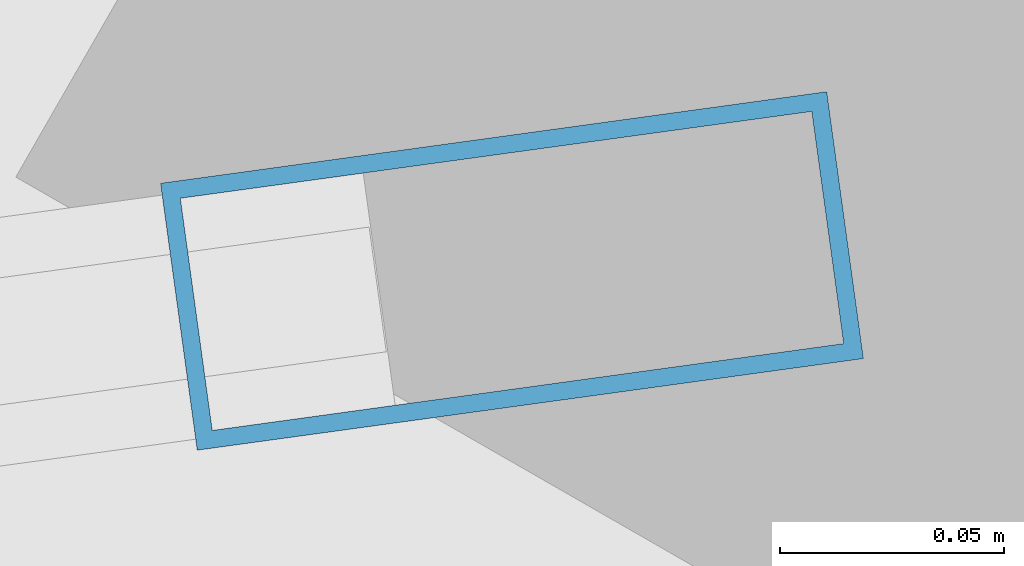
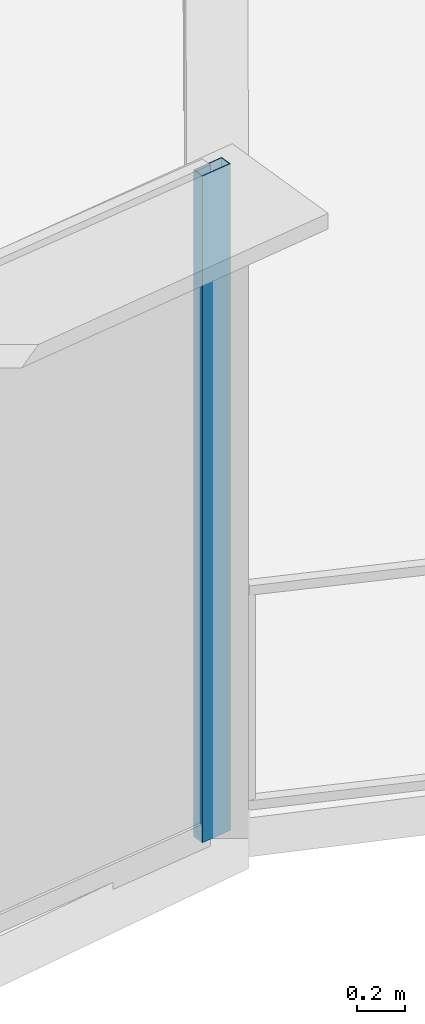
# One storey, part 22 of 39: 1 member, 1 element without a shape of its own.
"""IFC4 building model written with IfcOpenShell, lengths in metres."""

from ifc_helpers import new_model, si_unit, direction, frame, origin, origin_2d, place, context, subcontext, project, spatial, hollow_rectangle, extrude, source, transform, mapped, material, layer, layer_set, material_profile, profile_set, type_object, element, aggregate, save


model = new_model("IFC4")

# Units and contexts
model_context = context("Model", 3, precision=1e-05, world=origin(), true_north=direction((0.0, 1.0)))
body_context = subcontext(model_context, "Body", "Model", "MODEL_VIEW")
ifc_project = project(units=[si_unit("LENGTHUNIT", "METRE"), si_unit("AREAUNIT", "SQUARE_METRE"), si_unit("VOLUMEUNIT", "CUBIC_METRE"), si_unit("PLANEANGLEUNIT", "RADIAN"), si_unit("MASSUNIT", "GRAM", prefix="KILO"), si_unit("THERMODYNAMICTEMPERATUREUNIT", "KELVIN"), si_unit("POWERUNIT", "WATT")], contexts=[model_context])

# Site, building, storey
site_placement = place(None, origin())
site = spatial("IfcSite", under=ifc_project, at=site_placement, CompositionType="ELEMENT")
building_placement = place(site_placement, origin())
building = spatial("IfcBuilding", under=site, at=building_placement, Name="Yunzhuo Pagoda Commons", CompositionType="ELEMENT")
storey_placement = place(building_placement, frame((0.0, 0.0, 148.22998046875)))
storey = spatial("IfcBuildingStorey", under=building, at=storey_placement, Name="L37", CompositionType="ELEMENT", Elevation=148.22998046875)

# Curtain wall, member
ifc_material = material(Name="Anodized aluminium 6063-T6", Category="aluminium")
ifc_layer = layer(ifc_material, 0.14990234375)
ifc_layer_set = layer_set([ifc_layer], Name="Anodized aluminium 6063-T6")
curtain_wall_type = type_object("IfcCurtainWallType", Name="CW-MID Mid-Zone Ribbon Curtain Wall", PredefinedType="NOTDEFINED", material=ifc_layer_set)
curtain_wall_placement = place(storey_placement, origin())
curtain_wall = element("IfcCurtainWall", 1, at=curtain_wall_placement, inside=storey, type_object=curtain_wall_type, Name="L37 curtain wall CW-L37-F1B5", PredefinedType="NOTDEFINED")
ifc_material_profile = material_profile(ifc_material, hollow_rectangle(XDim=0.06005859375, YDim=0.14990234375, WallThickness=0.00390625, at=origin_2d()), Name="Anodized aluminium 6063-T6")
ifc_profile_set = profile_set([ifc_material_profile], Name="Anodized aluminium 6063-T6")
member_type = type_object("IfcMemberType", Name="CW-MID-M Mullion RHS 150x60x4", PredefinedType="MULLION", material=ifc_profile_set)
shared_shape = source(origin(), body_context, "Body", "SweptSolid", [
    extrude(hollow_rectangle(XDim=0.06005859375, YDim=0.14990234375, WallThickness=0.00390625, at=origin_2d()), origin(), (0.0, 0.0, 1.0), 3.419677734375),
])
member_placement = place(storey_placement, frame((83.485595703125, 16.39990234375, 0.000244140625), z_axis=(0.0, 0.0, 1.0), x_axis=(-0.136220738131, 0.990678510165, 0.0)))
member = element("IfcMember", 2, at=member_placement, type_object=member_type, Name="CW mullion 2", PredefinedType="MULLION", context=body_context, shape_type="MappedRepresentation", body=[
    mapped(shared_shape, transform((0.0, 0.0, 0.0), scale=1.0)),
])
aggregate(curtain_wall, [member])

save(model, "model.ifc")
